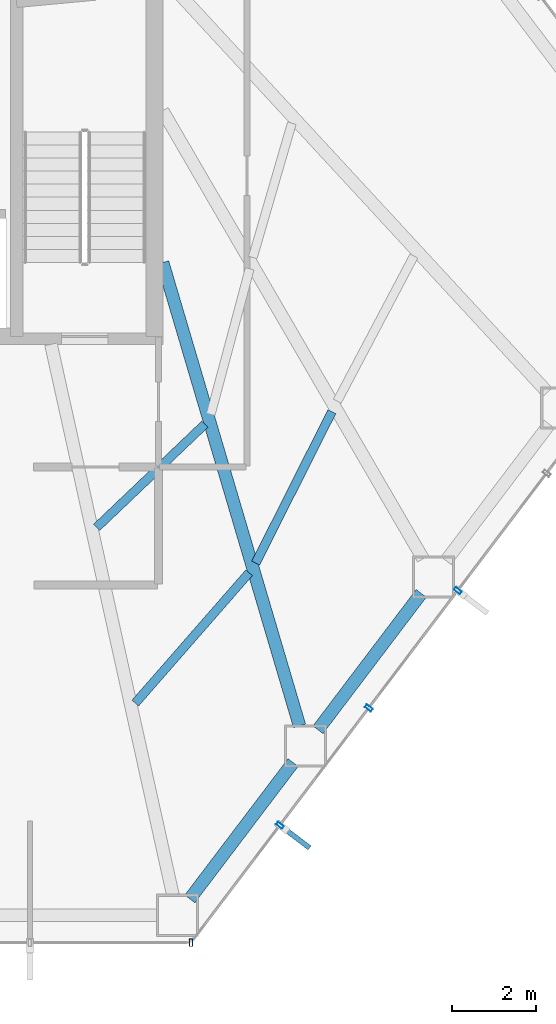
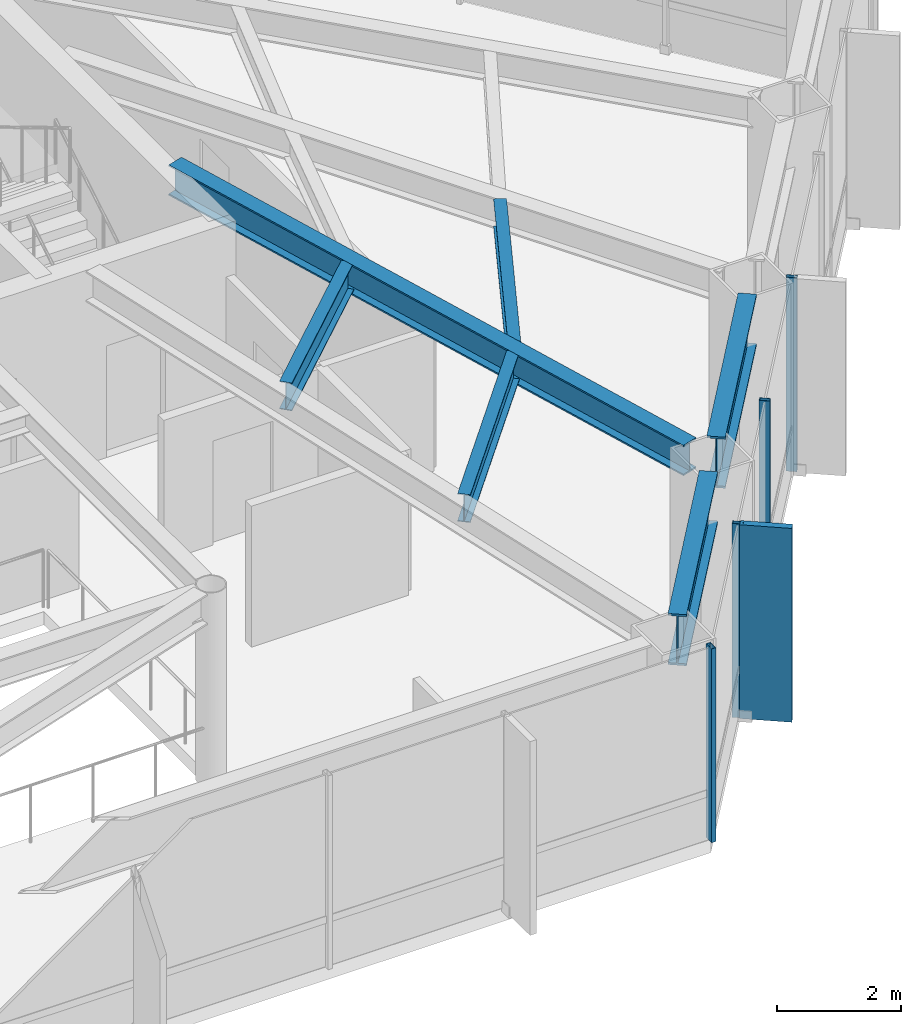
# One storey, part 16 of 25: 6 beams, 5 members, 2 elements without a shape of their own.
"""IFC4 building model written with IfcOpenShell, lengths in metres."""

from ifc_helpers import new_model, si_unit, direction, frame, origin, origin_2d, place, context, subcontext, project, spatial, rectangle, hollow_rectangle, i_section, extrude, material, layer, layer_set, material_profile, profile_set, type_object, element, aggregate, save


model = new_model("IFC4")

# Units and contexts
model_context = context("Model", 3, precision=1e-05, world=origin(), true_north=direction((0.0, 1.0)))
body_context = subcontext(model_context, "Body", "Model", "MODEL_VIEW")
ifc_project = project(units=[si_unit("LENGTHUNIT", "METRE"), si_unit("AREAUNIT", "SQUARE_METRE"), si_unit("VOLUMEUNIT", "CUBIC_METRE"), si_unit("PLANEANGLEUNIT", "RADIAN"), si_unit("MASSUNIT", "GRAM", prefix="KILO")], contexts=[model_context])

# Site, building, storey
site_placement = place(None, origin())
site = spatial("IfcSite", under=ifc_project, at=site_placement, CompositionType="ELEMENT")
building_placement = place(site_placement, origin())
building = spatial("IfcBuilding", under=site, at=building_placement, Name="Zarrinselat Tower", CompositionType="ELEMENT")
storey_placement = place(building_placement, frame((0.0, 0.0, 52.02001953125)))
storey = spatial("IfcBuildingStorey", under=building, at=storey_placement, Name="L12", CompositionType="ELEMENT", Elevation=52.02001953125)

# Beams
ifc_material_1 = material(Name="Steel S355J2", Category="steel")
ifc_material_profile_1 = material_profile(ifc_material_1, i_section(OverallWidth=0.300048828125, OverallDepth=0.60009765625, WebThickness=0.015380859375, FlangeThickness=0.030029296875, at=origin_2d()), Name="HEB 600")
ifc_profile_set_1 = profile_set([ifc_material_profile_1], Name="Steel S355J2")
beam_type_1 = type_object("IfcBeamType", Name="BM-HEB600", PredefinedType="BEAM", material=ifc_profile_set_1)
beam_1_placement = place(storey_placement, frame((48.449951171875, 35.0, 3.52001953125), z_axis=(0.283345695838, -0.959017839589, 0.0), x_axis=(0.959017839589, 0.283345695838, 0.0)))
element("IfcBeam", 1, at=beam_1_placement, inside=storey, type_object=beam_type_1, Name="L12 Radial Primary Girder RG12", PredefinedType="BEAM", context=body_context, shape_type="SweptSolid", body=[
    extrude(i_section(OverallWidth=0.300048828125, OverallDepth=0.60009765625, WebThickness=0.015380859375, FlangeThickness=0.030029296875, at=origin_2d()), origin(), (0.0, 0.0, 1.0), 11.463134765625),
])
ifc_material_2 = material(Name="Steel S460M", Category="steel")
ifc_material_profile_2 = material_profile(ifc_material_2, i_section(OverallWidth=0.302001953125, OverallDepth=1.008056640625, WebThickness=0.02099609375, FlangeThickness=0.0400390625, at=origin_2d()), Name="HEM 1000")
ifc_profile_set_2 = profile_set([ifc_material_profile_2], Name="Steel S460M")
beam_type_2 = type_object("IfcBeamType", Name="BM-HEM1000", PredefinedType="BEAM", material=ifc_profile_set_2)
beam_2_placement = place(storey_placement, frame((49.09423828125, 19.900634765625, 3.31591796875), z_axis=(0.603851898096, 0.797096534409, 0.0), x_axis=(-0.797096534409, 0.603851898096, 0.0)))
element("IfcBeam", 2, at=beam_2_placement, inside=storey, type_object=beam_type_2, Name="L12 Perimeter Spandrel Girder SP11", PredefinedType="BEAM", context=body_context, shape_type="SweptSolid", body=[
    extrude(i_section(OverallWidth=0.302001953125, OverallDepth=1.008056640625, WebThickness=0.02099609375, FlangeThickness=0.0400390625, at=origin_2d()), origin(), (0.0, 0.0, 1.0), 4.059326171875),
])
beam_3_placement = place(storey_placement, frame((52.135009765625, 23.914306640625, 3.31591796875), z_axis=(0.60381368236, 0.797125483845, 0.0), x_axis=(-0.797125483845, 0.60381368236, 0.0)))
element("IfcBeam", 3, at=beam_3_placement, inside=storey, type_object=beam_type_2, Name="L12 Perimeter Spandrel Girder SP12", PredefinedType="BEAM", context=body_context, shape_type="SweptSolid", body=[
    extrude(i_section(OverallWidth=0.302001953125, OverallDepth=1.008056640625, WebThickness=0.02099609375, FlangeThickness=0.0400390625, at=origin_2d()), origin(), (0.0, 0.0, 1.0), 4.05908203125),
])
ifc_material_3 = material(Name="Steel S355J2", Category="steel")
ifc_material_profile_3 = material_profile(ifc_material_3, i_section(OverallWidth=0.2099609375, OverallDepth=0.550048828125, WebThickness=0.010986328125, FlangeThickness=0.01708984375, at=origin_2d()), Name="IPE 550")
ifc_profile_set_3 = profile_set([ifc_material_profile_3], Name="Steel S355J2")
beam_type_3 = type_object("IfcBeamType", Name="BM-IPE550", PredefinedType="JOIST", material=ifc_profile_set_3)
beam_4_placement = place(storey_placement, frame((47.80029296875, 24.547119140625, 3.544921875), z_axis=(0.657965582387, 0.753048001388, 0.0), x_axis=(-0.753048001388, 0.657965582387, 0.0)))
element("IfcBeam", 4, at=beam_4_placement, inside=storey, type_object=beam_type_3, Name="L12 Composite Floor Joist 3-1", PredefinedType="JOIST", context=body_context, shape_type="SweptSolid", body=[
    extrude(i_section(OverallWidth=0.2099609375, OverallDepth=0.550048828125, WebThickness=0.010986328125, FlangeThickness=0.01708984375, at=origin_2d()), origin(), (0.0, 0.0, 1.0), 4.105712890625),
])
beam_5_placement = place(storey_placement, frame((46.88427734375, 28.716796875, 3.544921875), z_axis=(0.723794274198, 0.690015832165, 0.0), x_axis=(-0.690015832165, 0.723794274198, 0.0)))
element("IfcBeam", 5, at=beam_5_placement, inside=storey, type_object=beam_type_3, Name="L12 Composite Floor Joist 3-2", PredefinedType="JOIST", context=body_context, shape_type="SweptSolid", body=[
    extrude(i_section(OverallWidth=0.2099609375, OverallDepth=0.550048828125, WebThickness=0.010986328125, FlangeThickness=0.01708984375, at=origin_2d()), origin(), (0.0, 0.0, 1.0), 3.548828125),
])
beam_6_placement = place(storey_placement, frame((50.656494140625, 27.869384765625, 3.544921875), z_axis=(0.449713289447, 0.893172971655, 0.0), x_axis=(-0.893172971655, 0.449713289447, 0.0)))
element("IfcBeam", 6, at=beam_6_placement, inside=storey, type_object=beam_type_3, Name="L12 Composite Floor Joist 4-1", PredefinedType="JOIST", context=body_context, shape_type="SweptSolid", body=[
    extrude(i_section(OverallWidth=0.2099609375, OverallDepth=0.550048828125, WebThickness=0.010986328125, FlangeThickness=0.01708984375, at=origin_2d()), origin(), (0.0, 0.0, 1.0), 4.02099609375),
])

# Curtain wall, member
ifc_material_4 = material(Name="Extruded Aluminium Alloy EN AW-6063 T6", Category="aluminium")
ifc_layer = layer(ifc_material_4, 0.18505859375)
ifc_layer_set = layer_set([ifc_layer], Name="Extruded Aluminium Alloy EN AW-6063 T6")
curtain_wall_type = type_object("IfcCurtainWallType", Name="CWS-OFF", PredefinedType="NOTDEFINED", material=ifc_layer_set)
curtain_wall_1_placement = place(storey_placement, origin())
curtain_wall_1 = element("IfcCurtainWall", 7, at=curtain_wall_1_placement, inside=storey, type_object=curtain_wall_type, Name="L12 Unitised Curtain Wall CW-L12-E04", PredefinedType="NOTDEFINED")
ifc_material_5 = material(Name="Extruded Aluminium Alloy EN AW-6063 T6", Category="aluminium")
ifc_material_profile_4 = material_profile(ifc_material_5, hollow_rectangle(XDim=0.080078125, YDim=0.179931640625, WallThickness=0.0048828125, at=origin_2d()), Name="RHS 180x80x5")
ifc_profile_set_4 = profile_set([ifc_material_profile_4], Name="Extruded Aluminium Alloy EN AW-6063 T6")
member_type_1 = type_object("IfcMemberType", Name="MEM-CW-MUL", PredefinedType="MULLION", material=ifc_profile_set_4)
member_1_placement = place(storey_placement, frame((49.12255859375, 18.86181640625, 0.0), z_axis=(0.0, 0.0, 1.0), x_axis=(1.0, 0.0, 0.0)))
member_1 = element("IfcMember", 8, at=member_1_placement, type_object=member_type_1, Name="CW-L12-E04 Mullion 6", PredefinedType="MULLION", context=body_context, shape_type="SweptSolid", body=[
    extrude(hollow_rectangle(XDim=0.080078125, YDim=0.179931640625, WallThickness=0.0048828125, at=origin_2d()), origin(), (0.0, 0.0, 1.0), 3.820068359375),
])
aggregate(curtain_wall_1, [member_1])

# Curtain wall, members
curtain_wall_2_placement = place(storey_placement, origin())
curtain_wall_2 = element("IfcCurtainWall", 9, at=curtain_wall_2_placement, inside=storey, type_object=curtain_wall_type, Name="L12 Unitised Curtain Wall CW-L12-E05", PredefinedType="NOTDEFINED")
member_2_placement = place(storey_placement, frame((51.231689453125, 21.645751953125, 0.0), z_axis=(0.0, 0.0, 1.0), x_axis=(0.603860811653, 0.797089781737, 0.0)))
member_2 = element("IfcMember", 10, at=member_2_placement, type_object=member_type_1, Name="CW-L12-E05 Mullion 1", PredefinedType="MULLION", context=body_context, shape_type="SweptSolid", body=[
    extrude(hollow_rectangle(XDim=0.080078125, YDim=0.179931640625, WallThickness=0.0048828125, at=origin_2d()), origin(), (0.0, 0.0, 1.0), 3.820068359375),
])
member_3_placement = place(storey_placement, frame((53.3408203125, 24.4296875, 0.0), z_axis=(0.0, 0.0, 1.0), x_axis=(0.603860811653, 0.797089781737, 0.0)))
member_3 = element("IfcMember", 11, at=member_3_placement, type_object=member_type_1, Name="CW-L12-E05 Mullion 2", PredefinedType="MULLION", context=body_context, shape_type="SweptSolid", body=[
    extrude(hollow_rectangle(XDim=0.080078125, YDim=0.179931640625, WallThickness=0.0048828125, at=origin_2d()), origin(), (0.0, 0.0, 1.0), 3.820068359375),
])
member_4_placement = place(storey_placement, frame((55.449951171875, 27.2138671875, 0.0), z_axis=(0.0, 0.0, 1.0), x_axis=(0.603860811653, 0.797089781737, 0.0)))
member_4 = element("IfcMember", 12, at=member_4_placement, type_object=member_type_1, Name="CW-L12-E05 Mullion 3", PredefinedType="MULLION", context=body_context, shape_type="SweptSolid", body=[
    extrude(hollow_rectangle(XDim=0.080078125, YDim=0.179931640625, WallThickness=0.0048828125, at=origin_2d()), origin(), (0.0, 0.0, 1.0), 3.820068359375),
])
ifc_material_6 = material(Name="Honed Cream Travertine Stone", Category="masonry")
ifc_material_profile_5 = material_profile(ifc_material_6, rectangle(XDim=0.1201171875, YDim=0.85009765625, at=origin_2d()), Name="FIN 850x120")
ifc_profile_set_5 = profile_set([ifc_material_profile_5], Name="Honed Cream Travertine Stone")
member_type_2 = type_object("IfcMemberType", Name="MEM-STONE-FIN", PredefinedType="USERDEFINED", material=ifc_profile_set_5)
member_5_placement = place(storey_placement, frame((51.598388671875, 21.367919921875, 0.0), z_axis=(0.0, 0.0, 1.0), x_axis=(-0.603860811653, -0.797089781737, 0.0)))
member_5 = element("IfcMember", 13, at=member_5_placement, type_object=member_type_2, Name="L12 Stone Shading Fin CW-L12-E05-01", ObjectType="FIN", PredefinedType="USERDEFINED", context=body_context, shape_type="SweptSolid", body=[
    extrude(rectangle(XDim=0.1201171875, YDim=0.85009765625, at=origin_2d()), origin(), (0.0, 0.0, 1.0), 3.820068359375),
])
aggregate(curtain_wall_2, [member_2, member_5, member_3, member_4])

save(model, "model.ifc")
